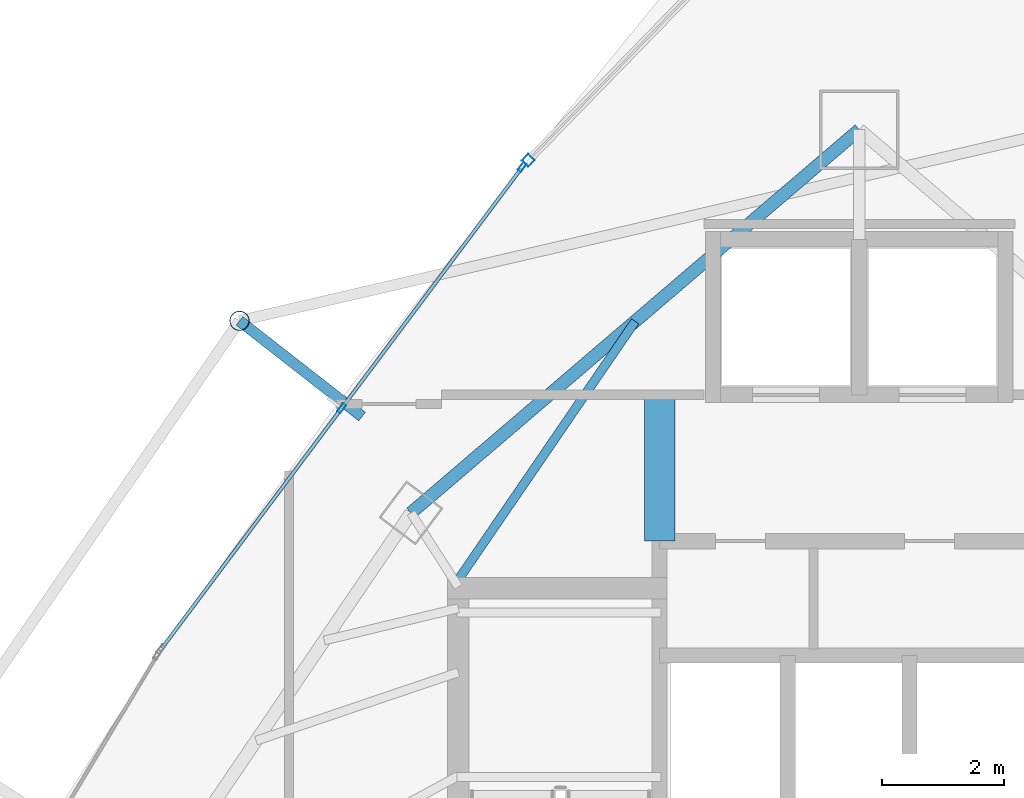
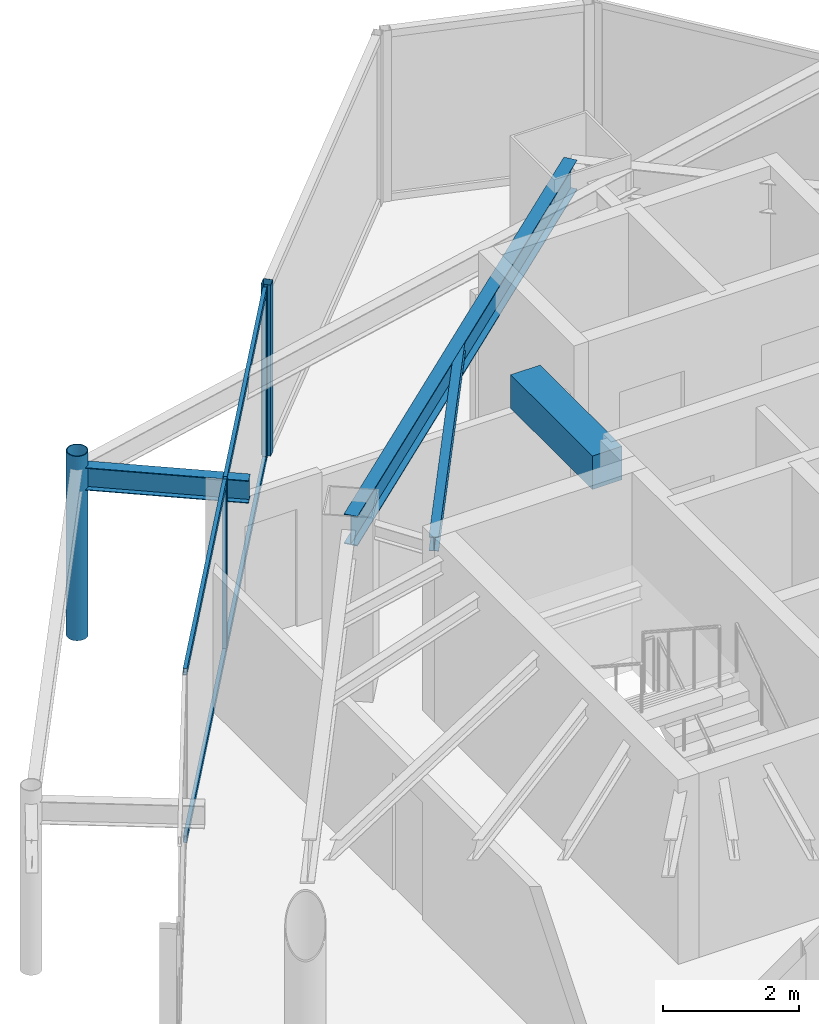
# One storey, part 21 of 30: 8 members, 4 beams, 2 elements without a shape of their own.
"""IFC4 building model written with IfcOpenShell, lengths in metres."""

from ifc_helpers import new_model, si_unit, direction, frame, origin, origin_2d, place, context, subcontext, project, spatial, rectangle, hollow_rectangle, hollow_circle, i_section, extrude, material, layer, layer_set, material_profile, profile_set, type_object, element, aggregate, save


model = new_model("IFC4")

# Units and contexts
model_context = context("Model", 3, precision=1e-05, world=origin(), true_north=direction((0.0, 1.0)))
body_context = subcontext(model_context, "Body", "Model", "MODEL_VIEW")
ifc_project = project(units=[si_unit("LENGTHUNIT", "METRE"), si_unit("AREAUNIT", "SQUARE_METRE"), si_unit("VOLUMEUNIT", "CUBIC_METRE"), si_unit("PLANEANGLEUNIT", "RADIAN"), si_unit("MASSUNIT", "GRAM", prefix="KILO")], contexts=[model_context])

# Site, building, storey
site_placement = place(None, origin())
site = spatial("IfcSite", under=ifc_project, at=site_placement, CompositionType="ELEMENT")
building_placement = place(site_placement, origin())
building = spatial("IfcBuilding", under=site, at=building_placement, Name="Orvanel Arch Residences", CompositionType="ELEMENT")
storey_placement = place(building_placement, frame((0.0, 0.0, 229.39990234375)))
storey = spatial("IfcBuildingStorey", under=building, at=storey_placement, Name="L65", CompositionType="ELEMENT", Elevation=229.39990234375)

# Beams
ifc_material_1 = material(Name="Structural steel AS/NZS 3679.1 Grade 300 (300 MPa)", Category="steel")
ifc_material_profile_1 = material_profile(ifc_material_1, i_section(OverallWidth=0.14599609375, OverallDepth=0.251953125, WebThickness=0.006103515625, FlangeThickness=0.008544921875, at=origin_2d()), Name="250UB31.4")
ifc_profile_set_1 = profile_set([ifc_material_profile_1], Name="Structural steel AS/NZS 3679.1 Grade 300 (300 MPa)")
beam_type_1 = type_object("IfcBeamType", Name="BJ-250UB", PredefinedType="JOIST", material=ifc_profile_set_1)
beam_1_placement = place(storey_placement, frame((26.425048828125, 34.02001953125, 2.93408203125), z_axis=(0.564868085352, 0.825181220188, 0.0), x_axis=(-0.825181220188, 0.564868085352, 0.0)))
element("IfcBeam", 1, at=beam_1_placement, inside=storey, type_object=beam_type_1, Name="L65 NNW2 Wing Floor Joist", PredefinedType="JOIST", context=body_context, shape_type="SweptSolid", body=[
    extrude(i_section(OverallWidth=0.14599609375, OverallDepth=0.251953125, WebThickness=0.006103515625, FlangeThickness=0.008544921875, at=origin_2d()), origin(), (0.0, 0.0, 1.0), 5.132080078125),
])
ifc_material_2 = material(Name="Concrete S65 (65 MPa)", Category="concrete")
ifc_material_profile_2 = material_profile(ifc_material_2, rectangle(XDim=0.5, YDim=0.60009765625, at=origin_2d()), Name="RC500x600")
ifc_profile_set_2 = profile_set([ifc_material_profile_2], Name="Concrete S65 (65 MPa)")
beam_type_2 = type_object("IfcBeamType", Name="CB-500x600", PredefinedType="LINTEL", material=ifc_profile_set_2)
beam_2_placement = place(storey_placement, frame((29.72509765625, 34.64990234375, 2.760009765625), z_axis=(0.0, 1.0, 0.0), x_axis=(-1.0, 0.0, 0.0)))
element("IfcBeam", 2, at=beam_2_placement, inside=storey, type_object=beam_type_2, Name="L65 West Core Lobby Coupling Lintel Beam", PredefinedType="LINTEL", context=body_context, shape_type="SweptSolid", body=[
    extrude(rectangle(XDim=0.5, YDim=0.60009765625, at=origin_2d()), origin(), (0.0, 0.0, 1.0), 2.400146484375),
])

# Curtain wall, member
ifc_material_3 = material(Name="Bronze-anodised aluminium AA6063-T6", Category="aluminium")
ifc_layer_1 = layer(ifc_material_3, 0.18994140625)
ifc_layer_set_1 = layer_set([ifc_layer_1], Name="Bronze-anodised aluminium AA6063-T6")
curtain_wall_type_1 = type_object("IfcCurtainWallType", Name="CW5-CRN-SYS", PredefinedType="NOTDEFINED", material=ifc_layer_set_1)
curtain_wall_1_placement = place(storey_placement, origin())
curtain_wall_1 = element("IfcCurtainWall", 3, at=curtain_wall_1_placement, inside=storey, type_object=curtain_wall_type_1, Name="L65 CW5-CRN-SYS Unitised Curtain Wall", PredefinedType="NOTDEFINED")
ifc_material_profile_3 = material_profile(ifc_material_3, hollow_rectangle(XDim=0.14990234375, YDim=0.14990234375, WallThickness=0.0048828125, at=origin_2d()), Name="ALU150x150x5")
ifc_profile_set_3 = profile_set([ifc_material_profile_3], Name="Bronze-anodised aluminium AA6063-T6")
member_type_1 = type_object("IfcMemberType", Name="MUL-150x150", PredefinedType="MULLION", material=ifc_profile_set_3)
member_1_placement = place(storey_placement, frame((27.5693359375, 40.893798828125, 0.0), z_axis=(0.0, 0.0, 1.0), x_axis=(0.716477049978, -0.697610662802, 0.0)))
member_1 = element("IfcMember", 4, at=member_1_placement, type_object=member_type_1, Name="CW-S5 mullion 2", PredefinedType="MULLION", context=body_context, shape_type="SweptSolid", body=[
    extrude(hollow_rectangle(XDim=0.14990234375, YDim=0.14990234375, WallThickness=0.0048828125, at=origin_2d()), origin(), (0.0, 0.0, 1.0), 3.06005859375),
])
aggregate(curtain_wall_1, [member_1])

# Curtain wall, members
ifc_layer_2 = layer(ifc_material_3, 0.175048828125)
ifc_layer_set_2 = layer_set([ifc_layer_2], Name="Bronze-anodised aluminium AA6063-T6")
curtain_wall_type_2 = type_object("IfcCurtainWallType", Name="CW4-HI-SYS", PredefinedType="NOTDEFINED", material=ifc_layer_set_2)
curtain_wall_2_placement = place(storey_placement, origin())
curtain_wall_2 = element("IfcCurtainWall", 5, at=curtain_wall_2_placement, inside=storey, type_object=curtain_wall_type_2, Name="L65 CW4-HI-SYS Unitised Curtain Wall", PredefinedType="NOTDEFINED")
ifc_material_profile_4 = material_profile(ifc_material_3, hollow_rectangle(XDim=0.06494140625, YDim=0.159912109375, WallThickness=0.00390625, at=origin_2d()), Name="ALU160x65x4")
ifc_profile_set_4 = profile_set([ifc_material_profile_4], Name="Bronze-anodised aluminium AA6063-T6")
member_type_2 = type_object("IfcMemberType", Name="MUL-160x65", PredefinedType="MULLION", material=ifc_profile_set_4)
member_2_placement = place(storey_placement, frame((27.471435546875, 40.783935546875, 0.0), z_axis=(0.0, 0.0, 1.0), x_axis=(0.800385756327, -0.599485313473, 0.0)))
member_2 = element("IfcMember", 6, at=member_2_placement, type_object=member_type_2, Name="CW-S4 mullion 1", PredefinedType="MULLION", context=body_context, shape_type="SweptSolid", body=[
    extrude(hollow_rectangle(XDim=0.06494140625, YDim=0.159912109375, WallThickness=0.00390625, at=origin_2d()), origin(), (0.0, 0.0, 1.0), 3.06005859375),
])
member_3_placement = place(storey_placement, frame((24.508544921875, 36.827880859375, 0.0), z_axis=(0.0, 0.0, 1.0), x_axis=(0.800385756327, -0.599485313473, 0.0)))
member_3 = element("IfcMember", 7, at=member_3_placement, type_object=member_type_2, Name="CW-S4 mullion 2", PredefinedType="MULLION", context=body_context, shape_type="SweptSolid", body=[
    extrude(hollow_rectangle(XDim=0.06494140625, YDim=0.159912109375, WallThickness=0.00390625, at=origin_2d()), origin(), (0.0, 0.0, 1.0), 3.06005859375),
])

# Beams
ifc_material_profile_5 = material_profile(ifc_material_1, i_section(OverallWidth=0.177978515625, OverallDepth=0.406005859375, WebThickness=0.0078125, FlangeThickness=0.0126953125, at=origin_2d()), Name="410UB59.7")
ifc_profile_set_5 = profile_set([ifc_material_profile_5], Name="Structural steel AS/NZS 3679.1 Grade 300 (300 MPa)")
beam_type_3 = type_object("IfcBeamType", Name="OB-410UB-EXT", PredefinedType="SPANDREL", material=ifc_profile_set_5)
beam_3_placement = place(storey_placement, frame((24.845947265625, 36.693115234375, 2.857177734375), z_axis=(-0.788118698034, 0.615523287788, 0.0), x_axis=(-0.615523287788, -0.788118698034, 0.0)))
element("IfcBeam", 8, at=beam_3_placement, inside=storey, type_object=beam_type_3, Name="L65 Outer Frame Radial Tie Beam 01", PredefinedType="SPANDREL", context=body_context, shape_type="SweptSolid", body=[
    extrude(i_section(OverallWidth=0.177978515625, OverallDepth=0.406005859375, WebThickness=0.0078125, FlangeThickness=0.0126953125, at=origin_2d()), origin(), (0.0, 0.0, 1.0), 2.55029296875),
])
ifc_material_profile_6 = material_profile(ifc_material_1, i_section(OverallWidth=0.208984375, OverallDepth=0.532958984375, WebThickness=0.01025390625, FlangeThickness=0.015625, at=origin_2d()), Name="530UB92.4")
ifc_profile_set_6 = profile_set([ifc_material_profile_6], Name="Structural steel AS/NZS 3679.1 Grade 300 (300 MPa)")
beam_type_4 = type_object("IfcBeamType", Name="SP-530UB", PredefinedType="SPANDREL", material=ifc_profile_set_6)
beam_4_placement = place(storey_placement, frame((33.0, 41.39794921875, 2.794189453125), z_axis=(-0.760116518398, -0.649786794617, 0.0), x_axis=(0.649786794617, -0.760116518398, 0.0)))
element("IfcBeam", 9, at=beam_4_placement, inside=storey, type_object=beam_type_4, Name="L65 Perimeter Spandrel Beam 10", PredefinedType="SPANDREL", context=body_context, shape_type="SweptSolid", body=[
    extrude(i_section(OverallWidth=0.208984375, OverallDepth=0.532958984375, WebThickness=0.01025390625, FlangeThickness=0.015625, at=origin_2d()), origin(), (0.0, 0.0, 1.0), 9.67236328125),
])

# Member
ifc_material_4 = material(Name="Structural steel AS/NZS 1163 C350L0 (Grade 350)", Category="steel")
ifc_material_profile_7 = material_profile(ifc_material_4, hollow_circle(Radius=0.162109375, WallThickness=0.0126953125, at=origin_2d()), Name="CHS324x12.7")
ifc_profile_set_7 = profile_set([ifc_material_profile_7], Name="Structural steel AS/NZS 1163 C350L0 (Grade 350)")
member_type_3 = type_object("IfcMemberType", Name="ST-324CHS-EXT", PredefinedType="STRUT", material=ifc_profile_set_7)
member_4_placement = place(storey_placement, frame((22.8359375, 38.262939453125, 0.0), z_axis=(0.0, 0.0, 1.0), x_axis=(1.0, 0.0, 0.0)))
element("IfcMember", 10, at=member_4_placement, inside=storey, type_object=member_type_3, Name="L65 Outer Perimeter Frame Post 01", PredefinedType="STRUT", context=body_context, shape_type="SweptSolid", body=[
    extrude(hollow_circle(Radius=0.162109375, WallThickness=0.0126953125, at=origin_2d()), origin(), (0.0, 0.0, 1.0), 3.300048828125),
])

ifc_material_profile_8 = material_profile(ifc_material_3, hollow_rectangle(XDim=0.06005859375, YDim=0.1201171875, WallThickness=0.00341796875, at=origin_2d()), Name="ALU120x60x3.5")
ifc_profile_set_8 = profile_set([ifc_material_profile_8], Name="Bronze-anodised aluminium AA6063-T6")
member_type_4 = type_object("IfcMemberType", Name="TRN-120x60", PredefinedType="USERDEFINED", material=ifc_profile_set_8)
member_5_placement = place(storey_placement, frame((27.4521484375, 40.758056640625, 0.030029296875), z_axis=(-0.59947932652, -0.800390240492, 0.0), x_axis=(0.800390240492, -0.59947932652, 0.0)))
member_5 = element("IfcMember", 11, at=member_5_placement, type_object=member_type_4, Name="CW-S4 transom 1.1", ObjectType="TRANSOM", PredefinedType="USERDEFINED", context=body_context, shape_type="SweptSolid", body=[
    extrude(hollow_rectangle(XDim=0.06005859375, YDim=0.1201171875, WallThickness=0.00341796875, at=origin_2d()), origin(), (0.0, 0.0, 1.0), 4.877685546875),
])

member_6_placement = place(storey_placement, frame((27.4521484375, 40.758056640625, 3.030029296875), z_axis=(-0.59947932652, -0.800390240492, 0.0), x_axis=(0.800390240492, -0.59947932652, 0.0)))
member_6 = element("IfcMember", 12, at=member_6_placement, type_object=member_type_4, Name="CW-S4 transom 1.2", ObjectType="TRANSOM", PredefinedType="USERDEFINED", context=body_context, shape_type="SweptSolid", body=[
    extrude(hollow_rectangle(XDim=0.06005859375, YDim=0.1201171875, WallThickness=0.00341796875, at=origin_2d()), origin(), (0.0, 0.0, 1.0), 4.877685546875),
])

member_7_placement = place(storey_placement, frame((24.489013671875, 36.802001953125, 0.030029296875), z_axis=(-0.59947932652, -0.800390240492, 0.0), x_axis=(0.800390240492, -0.59947932652, 0.0)))
member_7 = element("IfcMember", 13, at=member_7_placement, type_object=member_type_4, Name="CW-S4 transom 2.1", ObjectType="TRANSOM", PredefinedType="USERDEFINED", context=body_context, shape_type="SweptSolid", body=[
    extrude(hollow_rectangle(XDim=0.06005859375, YDim=0.1201171875, WallThickness=0.00341796875, at=origin_2d()), origin(), (0.0, 0.0, 1.0), 4.877685546875),
])

member_8_placement = place(storey_placement, frame((24.489013671875, 36.802001953125, 3.030029296875), z_axis=(-0.59947932652, -0.800390240492, 0.0), x_axis=(0.800390240492, -0.59947932652, 0.0)))
member_8 = element("IfcMember", 14, at=member_8_placement, type_object=member_type_4, Name="CW-S4 transom 2.2", ObjectType="TRANSOM", PredefinedType="USERDEFINED", context=body_context, shape_type="SweptSolid", body=[
    extrude(hollow_rectangle(XDim=0.06005859375, YDim=0.1201171875, WallThickness=0.00341796875, at=origin_2d()), origin(), (0.0, 0.0, 1.0), 4.877685546875),
])

aggregate(curtain_wall_2, [member_2, member_3, member_5, member_6, member_7, member_8])

save(model, "model.ifc")
